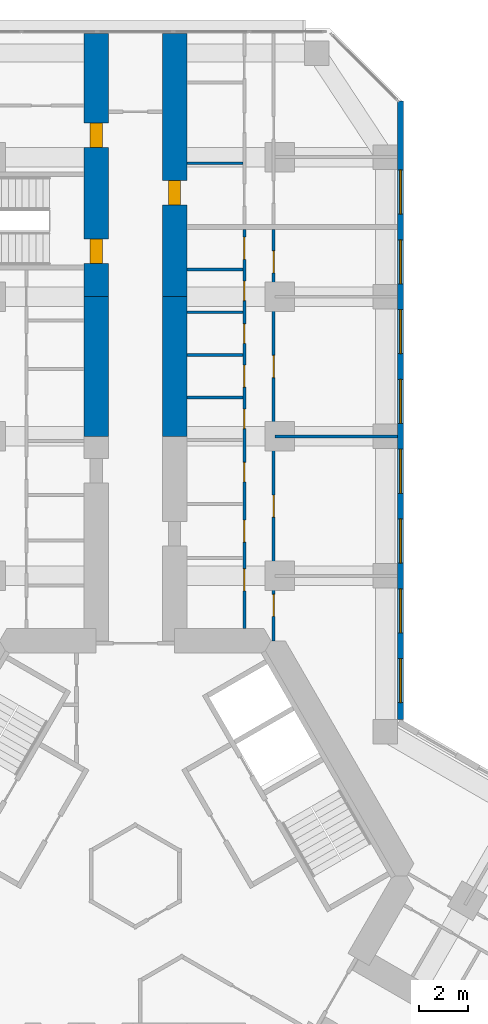
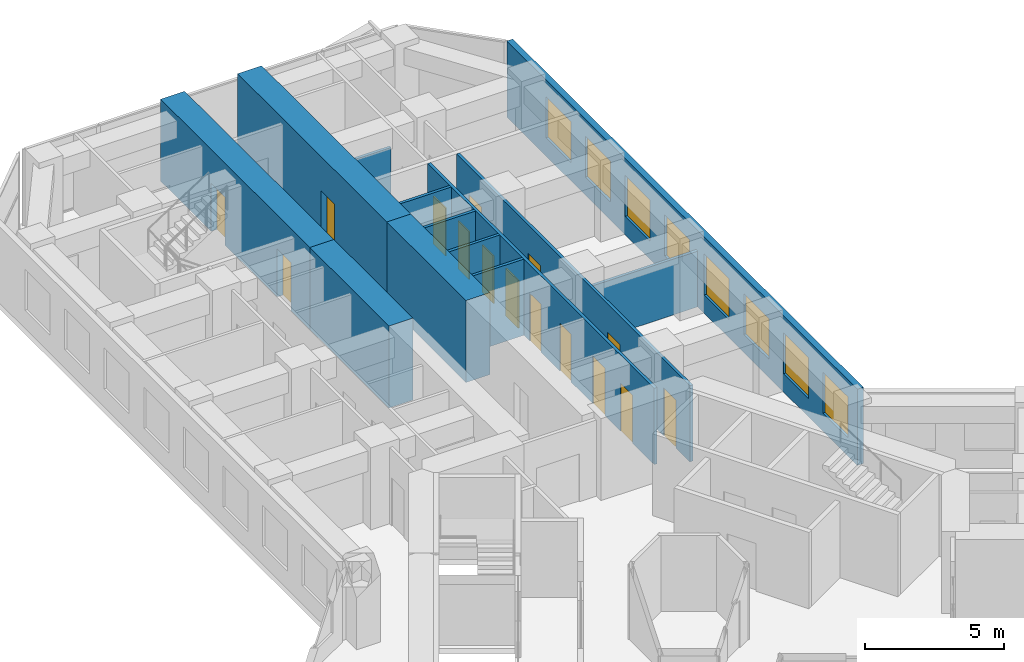
# One storey, part 18 of 21: 15 doors, 13 walls, 8 windows, 23 openings.
"""IFC4 building model written with IfcOpenShell, lengths in metres."""

import ifcopenshell
import ifcopenshell.guid

model = None  # the IFC model being written
_history = None  # IfcOwnerHistory: only IFC2X3 demands one
_inside = {}  # id of a spatial element -> (the spatial element, [elements in it])
_under = {}  # id of a project, library or spatial element -> (it, [spatial elements below it])
_declared = {}  # id of a project -> (the project, [libraries it declares])
_typed = {}  # id of a type object -> (the type object, [elements of that type])
_made_of = {}  # id of a material, layer set ... -> (it, [elements and type objects made of it])


def new_model(schema):
    """Start an empty IFC model of exactly this schema.

    Asked for "IFC4X3", IfcOpenShell would pick the latest addendum, in which some entities
    have other attributes; the version numbers below select the first issue.
    IFC2X3 requires an IfcOwnerHistory on every rooted entity: one is made here for all.
    """
    global model, _history
    if schema == "IFC4X3":
        model = ifcopenshell.file(schema_version=(4, 3, 0, 0))
    else:
        model = ifcopenshell.file(schema=schema)
    _inside.clear()
    _under.clear()
    _declared.clear()
    _typed.clear()
    _made_of.clear()
    _history = None
    if model.schema == "IFC2X3":
        org = make("IfcOrganization", Name="unknown")
        user = make(
            "IfcPersonAndOrganization",
            ThePerson=make("IfcPerson", FamilyName="unknown"),
            TheOrganization=org,
        )
        app = make(
            "IfcApplication",
            ApplicationDeveloper=org,
            Version="unknown",
            ApplicationFullName="unknown",
            ApplicationIdentifier="unknown",
        )
        _history = make(
            "IfcOwnerHistory",
            OwningUser=user,
            OwningApplication=app,
            ChangeAction="ADDED",
            CreationDate=0,
        )
    return model


def make(cls, **values):
    """One entity of the class cls with the attributes given. An attribute that is None is left unset."""
    return model.create_entity(
        cls, **{name: value for name, value in values.items() if value is not None}
    )


def rooted(cls, **values):
    """An entity with a GlobalId (a new one), such as an element, a storey or a relation."""
    return make(cls, GlobalId=ifcopenshell.guid.new(), OwnerHistory=_history, **values)


def si_unit(unit_type, name, prefix=None):
    """IfcSIUnit, for example si_unit("LENGTHUNIT", "METRE", prefix="MILLI")."""
    return make("IfcSIUnit", UnitType=unit_type, Prefix=prefix, Name=name)


def assignment(units):
    """IfcUnitAssignment: the units of a project."""
    return None if units is None else make("IfcUnitAssignment", Units=units)


def point(xyz):
    """IfcCartesianPoint."""
    return None if xyz is None else make("IfcCartesianPoint", Coordinates=xyz)


def direction(xyz):
    """IfcDirection."""
    return None if xyz is None else make("IfcDirection", DirectionRatios=xyz)


def frame(location, z_axis=None, x_axis=None):
    """IfcAxis2Placement3D, a coordinate frame: its origin and axes. An axis left out is left unset."""
    return make(
        "IfcAxis2Placement3D",
        Location=point(location),
        Axis=direction(z_axis),
        RefDirection=direction(x_axis),
    )


def frame_2d(location, x_axis=None):
    """IfcAxis2Placement2D, a coordinate frame in the plane: its origin and x axis."""
    return make(
        "IfcAxis2Placement2D", Location=point(location), RefDirection=direction(x_axis)
    )


def origin():
    """The frame at (0, 0, 0) with its axes left unset."""
    return frame((0.0, 0.0, 0.0))


def place(relative_to, where):
    """IfcLocalPlacement: puts the frame where relative to a parent placement (None: the world)."""
    return make(
        "IfcLocalPlacement", PlacementRelTo=relative_to, RelativePlacement=where
    )


def context(
    kind, dimensions, precision=None, world=None, true_north=None, identifier=None
):
    """IfcGeometricRepresentationContext, for example the 3D "Model" context."""
    return make(
        "IfcGeometricRepresentationContext",
        ContextIdentifier=identifier,
        ContextType=kind,
        CoordinateSpaceDimension=dimensions,
        Precision=precision,
        WorldCoordinateSystem=world,
        TrueNorth=true_north,
    )


def subcontext(parent, identifier, kind, view, scale=None):
    """IfcGeometricRepresentationSubContext, for example "Body" below "Model"."""
    return make(
        "IfcGeometricRepresentationSubContext",
        ContextIdentifier=identifier,
        ContextType=kind,
        ParentContext=parent,
        TargetScale=scale,
        TargetView=view,
    )


def project(units=None, contexts=None):
    """IfcProject with its units and contexts."""
    return rooted(
        "IfcProject",
        Name="project",
        RepresentationContexts=contexts,
        UnitsInContext=assignment(units),
    )


def spatial(cls, under=None, at=None, **own):
    """A site, building, storey or space (cls), placed at a placement, below another one or the project."""
    s = rooted(cls, ObjectPlacement=at, **own)
    if under is not None:
        _under.setdefault(under.id(), (under, []))[1].append(s)
    return s


def profile(cls, at=None, kind="AREA", **sizes):
    """A parametric profile (cls). Its sizes go by their IFC names, for example OverallWidth=200.0."""
    return make(cls, ProfileType=kind, Position=at, **sizes)


def rectangle(**sizes):
    """IfcRectangleProfileDef."""
    return profile("IfcRectangleProfileDef", **sizes)


def extrude(swept, where, along, depth):
    """IfcExtrudedAreaSolid: the profile swept, set in the frame where, extruded along a direction by depth."""
    return make(
        "IfcExtrudedAreaSolid",
        SweptArea=swept,
        Position=where,
        ExtrudedDirection=direction(along),
        Depth=depth,
    )


def shape(context_of_items, identifier, shape_type, items):
    """IfcShapeRepresentation: the items that make up one representation, for example the "Body"."""
    return make(
        "IfcShapeRepresentation",
        ContextOfItems=context_of_items,
        RepresentationIdentifier=identifier,
        RepresentationType=shape_type,
        Items=items,
    )


def material(Name=None, Category=None):
    """IfcMaterial."""
    return make("IfcMaterial", Name=Name, Category=Category)


def layer(
    of_material, thickness, ventilated=None, Name=None, Category=None, Priority=None
):
    """IfcMaterialLayer: one layer of a wall or slab, of a material (None: an air gap)."""
    return make(
        "IfcMaterialLayer",
        Material=of_material,
        LayerThickness=thickness,
        IsVentilated=ventilated,
        Name=Name,
        Category=Category,
        Priority=Priority,
    )


def layer_set(layers, Name=None):
    """IfcMaterialLayerSet."""
    return make("IfcMaterialLayerSet", MaterialLayers=layers, LayerSetName=Name)


def made_of(thing, what):
    """Note that an element or type object is made of a material, layer set ...; save() writes the relation."""
    if what is not None:
        _made_of.setdefault(what.id(), (what, []))[1].append(thing)
    return thing


def type_object(cls, material=None, **own):
    """A type object (cls), such as IfcWallType, which elements share."""
    return made_of(rooted(cls, **own), material)


def element(
    cls,
    number,
    at=None,
    inside=None,
    cuts=None,
    type_object=None,
    material=None,
    context=None,
    identifier="Body",
    shape_type=None,
    held_by="IfcProductDefinitionShape",
    body=None,
    shapes=None,
    **own,
):
    """One element of the class cls, such as IfcWall. Its Tag is "e" and its number.

    at: its placement. inside: the storey or other place that contains it. cuts: it is an
    opening in that element (IfcRelVoidsElement). A single representation is given by context,
    identifier, shape_type and body (its items); several are given by shapes. held_by: the class
    of the entity that holds the representations. save() writes the other relations.
    """
    e = rooted(cls, Tag="e%d" % number, ObjectPlacement=at, **own)
    if body is not None:
        shapes = [shape(context, identifier, shape_type, body)]
    if shapes is not None:
        e.Representation = make(held_by, Representations=shapes)
    if inside is not None:
        _inside.setdefault(inside.id(), (inside, []))[1].append(e)
    if cuts is not None:
        rooted(
            "IfcRelVoidsElement", RelatingBuildingElement=cuts, RelatedOpeningElement=e
        )
    if type_object is not None:
        _typed.setdefault(type_object.id(), (type_object, []))[1].append(e)
    return made_of(e, material)


def fill(opening, filler):
    """IfcRelFillsElement: the door or window that sits in an opening."""
    return rooted(
        "IfcRelFillsElement",
        RelatingOpeningElement=opening,
        RelatedBuildingElement=filler,
    )


def aggregate(whole, parts):
    """IfcRelAggregates: a whole, such as a stair, and the parts it consists of."""
    return rooted("IfcRelAggregates", RelatingObject=whole, RelatedObjects=parts)


def save(model, path):
    """Write the relations noted so far, then the file.

    IfcRelAggregates (storeys below a building ...), IfcRelContainedInSpatialStructure (elements
    in a storey), IfcRelDefinesByType, IfcRelAssociatesMaterial and IfcRelDeclares: one each for
    every whole, place, type object, material and project.
    """
    for whole, parts in _under.values():
        aggregate(whole, parts)
    for where, things in _inside.values():
        rooted(
            "IfcRelContainedInSpatialStructure",
            RelatedElements=things,
            RelatingStructure=where,
        )
    for kind, things in _typed.values():
        rooted("IfcRelDefinesByType", RelatedObjects=things, RelatingType=kind)
    for what, things in _made_of.values():
        rooted("IfcRelAssociatesMaterial", RelatedObjects=things, RelatingMaterial=what)
    for by, libraries in _declared.values():
        rooted("IfcRelDeclares", RelatingContext=by, RelatedDefinitions=libraries)
    model.write(path)


model = new_model("IFC4")

# Units and contexts
model_context = context("Model", 3, precision=1e-05, world=origin(), true_north=direction((0.0, 1.0)))
body_context = subcontext(model_context, "Body", "Model", "MODEL_VIEW")
ifc_project = project(units=[si_unit("LENGTHUNIT", "METRE"), si_unit("AREAUNIT", "SQUARE_METRE"), si_unit("VOLUMEUNIT", "CUBIC_METRE"), si_unit("PLANEANGLEUNIT", "RADIAN"), si_unit("MASSUNIT", "GRAM", prefix="KILO")], contexts=[model_context])

# Site, building, storey
site_placement = place(None, origin())
site = spatial("IfcSite", under=ifc_project, at=site_placement, CompositionType="ELEMENT")
building_placement = place(site_placement, origin())
building = spatial("IfcBuilding", under=site, at=building_placement, Name="Kosmar Iwan School Tower", CompositionType="ELEMENT")
storey_placement = place(building_placement, frame((0.0, 0.0, 71.800048828125)))
storey = spatial("IfcBuildingStorey", under=building, at=storey_placement, Name="L17", CompositionType="ELEMENT", Elevation=71.800048828125)

# Wall
ifc_material_1 = material(Name="Concrete C50/60", Category="concrete")
ifc_layer_1 = layer(ifc_material_1, 1.0)
ifc_layer_set_1 = layer_set([ifc_layer_1], Name="Corridor buttress wall 1000")
wall_type_1 = type_object("IfcWallType", Name="Corridor buttress wall 1000", PredefinedType="SHEAR", material=ifc_layer_set_1)
wall_1_placement = place(storey_placement, frame((-1.60009765625, 17.949951171875, 0.0), z_axis=(0.0, 0.0, 1.0), x_axis=(0.0, 1.0, 0.0)))
element("IfcWall", 1, at=wall_1_placement, inside=storey, type_object=wall_type_1, Name="Corridor wall AL bay 2", PredefinedType="SHEAR", context=body_context, shape_type="SweptSolid", body=[
    extrude(rectangle(XDim=5.699951171875, YDim=1.0, at=frame_2d((2.85009765625, 0.0))), origin(), (0.0, 0.0, 1.0), 3.599853515625),
])

# Wall, openings, doors
wall_2_placement = place(storey_placement, frame((-1.60009765625, 23.64990234375, 0.0), z_axis=(0.0, 0.0, 1.0), x_axis=(0.0, 1.0, 0.0)))
wall_2 = element("IfcWall", 2, at=wall_2_placement, inside=storey, type_object=wall_type_1, Name="Corridor wall AL bay 3", PredefinedType="SHEAR", context=body_context, shape_type="SweptSolid", body=[
    extrude(rectangle(XDim=10.7451171875, YDim=1.0, at=frame_2d((5.37255859375, 0.0))), origin(), (0.0, 0.0, 1.0), 3.599853515625),
])
opening_1_placement = place(wall_2_placement, frame((6.10009765625, 0.0, 0.0)))
opening_1 = element("IfcOpeningElement", 3, at=opening_1_placement, cuts=wall_2, Name="Opening D1", PredefinedType="OPENING", context=body_context, shape_type="SweptSolid", body=[
    extrude(rectangle(XDim=1.0, YDim=2.10009765625, at=frame_2d((0.5, 1.050048828125))), frame((0.0, 0.511962890625, 0.0), z_axis=(0.0, -1.0, 0.0), x_axis=(1.0, 0.0, 0.0)), (0.0, 0.0, 1.0), 1.02392578125),
])
opening_2_placement = place(wall_2_placement, frame((1.35009765625, 0.0, 0.0)))
opening_2 = element("IfcOpeningElement", 4, at=opening_2_placement, cuts=wall_2, Name="Opening D6", PredefinedType="OPENING", context=body_context, shape_type="SweptSolid", body=[
    extrude(rectangle(XDim=1.0, YDim=2.10009765625, at=frame_2d((0.5, 1.050048828125))), frame((0.0, 0.511962890625, 0.0), z_axis=(0.0, -1.0, 0.0), x_axis=(1.0, 0.0, 0.0)), (0.0, 0.0, 1.0), 1.02392578125),
])
ifc_material_2 = material(Name="Timber fire door in steel frame", Category="steel")
door_type_1 = type_object("IfcDoorType", Name="Flat entrance door 1000x2100", OperationType="SINGLE_SWING_LEFT", PredefinedType="DOOR", material=ifc_material_2)
door_1_placement = place(opening_1_placement, origin())
door_1 = element("IfcDoor", 5, at=door_1_placement, inside=storey, type_object=door_type_1, Name="Flat L17-AL2 entrance door", OperationType="SINGLE_SWING_RIGHT", OverallHeight=2.10009765625, OverallWidth=1.0, PredefinedType="DOOR", context=body_context, shape_type="SweptSolid", body=[
    extrude(rectangle(XDim=1.0, YDim=2.10009765625, at=frame_2d((0.5, 1.050048828125))), frame((0.0, 0.25, 0.0), z_axis=(0.0, -1.0, 0.0), x_axis=(1.0, 0.0, 0.0)), (0.0, 0.0, 1.0), 0.5),
])
fill(opening_1, door_1)
ifc_material_3 = material(Name="Steel fire door", Category="steel")
door_type_2 = type_object("IfcDoorType", Name="Stair door 1000x2100", OperationType="SINGLE_SWING_LEFT", PredefinedType="DOOR", material=ifc_material_3)
door_2_placement = place(opening_2_placement, origin())
door_2 = element("IfcDoor", 6, at=door_2_placement, inside=storey, type_object=door_type_2, Name="Stair WS1 door L17", OperationType="SINGLE_SWING_LEFT", OverallHeight=2.10009765625, OverallWidth=1.0, PredefinedType="DOOR", context=body_context, shape_type="SweptSolid", body=[
    extrude(rectangle(XDim=1.0, YDim=2.10009765625, at=frame_2d((0.5, 1.050048828125))), frame((0.0, 0.25, 0.0), z_axis=(0.0, -1.0, 0.0), x_axis=(1.0, 0.0, 0.0)), (0.0, 0.0, 1.0), 0.5),
])
fill(opening_2, door_2)

# Wall
wall_3_placement = place(storey_placement, frame((1.60009765625, 17.949951171875, 0.0), z_axis=(0.0, 0.0, 1.0), x_axis=(0.0, 1.0, 0.0)))
element("IfcWall", 7, at=wall_3_placement, inside=storey, type_object=wall_type_1, Name="Corridor wall AR bay 2", PredefinedType="SHEAR", context=body_context, shape_type="SweptSolid", body=[
    extrude(rectangle(XDim=5.699951171875, YDim=1.0, at=frame_2d((2.85009765625, 0.0))), origin(), (0.0, 0.0, 1.0), 3.599853515625),
])

# Wall, opening, door
wall_4_placement = place(storey_placement, frame((1.60009765625, 23.64990234375, 0.0), z_axis=(0.0, 0.0, 1.0), x_axis=(0.0, 1.0, 0.0)))
wall_4 = element("IfcWall", 8, at=wall_4_placement, inside=storey, type_object=wall_type_1, Name="Corridor wall AR bay 3", PredefinedType="SHEAR", context=body_context, shape_type="SweptSolid", body=[
    extrude(rectangle(XDim=10.7451171875, YDim=1.0, at=frame_2d((5.37255859375, 0.0))), origin(), (0.0, 0.0, 1.0), 3.599853515625),
])
opening_3_placement = place(wall_4_placement, frame((3.75, 0.0, 0.0)))
opening_3 = element("IfcOpeningElement", 9, at=opening_3_placement, cuts=wall_4, Name="Opening D1", PredefinedType="OPENING", context=body_context, shape_type="SweptSolid", body=[
    extrude(rectangle(XDim=1.0, YDim=2.10009765625, at=frame_2d((0.5, 1.050048828125))), frame((0.0, 0.511962890625, 0.0), z_axis=(0.0, -1.0, 0.0), x_axis=(1.0, 0.0, 0.0)), (0.0, 0.0, 1.0), 1.02392578125),
])
door_3_placement = place(opening_3_placement, origin())
door_3 = element("IfcDoor", 10, at=door_3_placement, inside=storey, type_object=door_type_1, Name="Flat L17-AR2 entrance door", OperationType="SINGLE_SWING_RIGHT", OverallHeight=2.10009765625, OverallWidth=1.0, PredefinedType="DOOR", context=body_context, shape_type="SweptSolid", body=[
    extrude(rectangle(XDim=1.0, YDim=2.10009765625, at=frame_2d((0.5, 1.050048828125))), frame((0.0, 0.25, 0.0), z_axis=(0.0, -1.0, 0.0), x_axis=(1.0, 0.0, 0.0)), (0.0, 0.0, 1.0), 0.5),
])
fill(opening_3, door_3)

# Wall, openings, doors
ifc_material_4 = material(Name="Gypsum board on steel studs", Category="steel")
ifc_layer_2 = layer(ifc_material_4, 0.1201171875)
ifc_layer_set_2 = layer_set([ifc_layer_2], Name="Dwelling partition 120")
wall_type_2 = type_object("IfcWallType", Name="Dwelling partition 120", PredefinedType="PARTITIONING", material=ifc_layer_set_2)
wall_5_placement = place(storey_placement, frame((4.449951171875, 10.10009765625, 0.0), z_axis=(0.0, 0.0, 1.0), x_axis=(0.0, 1.0, 0.0)))
wall_5 = element("IfcWall", 11, at=wall_5_placement, inside=storey, type_object=wall_type_2, Name="Partition L17-AR1-W1", PredefinedType="PARTITIONING", context=body_context, shape_type="SweptSolid", body=[
    extrude(rectangle(XDim=16.2998046875, YDim=0.1201171875, at=frame_2d((8.14990234375, 0.0))), origin(), (0.0, 0.0, 1.0), 3.349853515625),
])
opening_4_placement = place(wall_5_placement, frame((1.5400390625, 0.0, 0.0)))
opening_4 = element("IfcOpeningElement", 12, at=opening_4_placement, cuts=wall_5, Name="Opening D2", PredefinedType="OPENING", context=body_context, shape_type="SweptSolid", body=[
    extrude(rectangle(XDim=0.89990234375, YDim=2.10009765625, at=frame_2d((0.449951171875, 1.050048828125))), frame((0.0, 0.072021484375, 0.0), z_axis=(0.0, -1.0, 0.0), x_axis=(1.0, 0.0, 0.0)), (0.0, 0.0, 1.0), 0.14404296875),
])
opening_5_placement = place(wall_5_placement, frame((3.530029296875, 0.0, 0.0)))
opening_5 = element("IfcOpeningElement", 13, at=opening_5_placement, cuts=wall_5, Name="Opening D2", PredefinedType="OPENING", context=body_context, shape_type="SweptSolid", body=[
    extrude(rectangle(XDim=0.89990234375, YDim=2.10009765625, at=frame_2d((0.449951171875, 1.050048828125))), frame((0.0, 0.072021484375, 0.0), z_axis=(0.0, -1.0, 0.0), x_axis=(1.0, 0.0, 0.0)), (0.0, 0.0, 1.0), 0.14404296875),
])
opening_6_placement = place(wall_5_placement, frame((5.986083984375, 0.0, 0.0)))
opening_6 = element("IfcOpeningElement", 14, at=opening_6_placement, cuts=wall_5, Name="Opening D3", PredefinedType="OPENING", context=body_context, shape_type="SweptSolid", body=[
    extrude(rectangle(XDim=0.800048828125, YDim=2.10009765625, at=frame_2d((0.39990234375, 1.050048828125))), frame((0.0, 0.072021484375, 0.0), z_axis=(0.0, -1.0, 0.0), x_axis=(1.0, 0.0, 0.0)), (0.0, 0.0, 1.0), 0.14404296875),
])
opening_7_placement = place(wall_5_placement, frame((8.1630859375, 0.0, 0.0)))
opening_7 = element("IfcOpeningElement", 15, at=opening_7_placement, cuts=wall_5, Name="Opening D3", PredefinedType="OPENING", context=body_context, shape_type="SweptSolid", body=[
    extrude(rectangle(XDim=0.800048828125, YDim=2.10009765625, at=frame_2d((0.39990234375, 1.050048828125))), frame((0.0, 0.072021484375, 0.0), z_axis=(0.0, -1.0, 0.0), x_axis=(1.0, 0.0, 0.0)), (0.0, 0.0, 1.0), 0.14404296875),
])
opening_8_placement = place(wall_5_placement, frame((9.854736328125, 0.0, 0.0)))
opening_8 = element("IfcOpeningElement", 16, at=opening_8_placement, cuts=wall_5, Name="Opening D2", PredefinedType="OPENING", context=body_context, shape_type="SweptSolid", body=[
    extrude(rectangle(XDim=0.89990234375, YDim=2.10009765625, at=frame_2d((0.449951171875, 1.050048828125))), frame((0.0, 0.072021484375, 0.0), z_axis=(0.0, -1.0, 0.0), x_axis=(1.0, 0.0, 0.0)), (0.0, 0.0, 1.0), 0.14404296875),
])
opening_9_placement = place(wall_5_placement, frame((11.646240234375, 0.0, 0.0)))
opening_9 = element("IfcOpeningElement", 17, at=opening_9_placement, cuts=wall_5, Name="Opening D3", PredefinedType="OPENING", context=body_context, shape_type="SweptSolid", body=[
    extrude(rectangle(XDim=0.800048828125, YDim=2.10009765625, at=frame_2d((0.39990234375, 1.050048828125))), frame((0.0, 0.072021484375, 0.0), z_axis=(0.0, -1.0, 0.0), x_axis=(1.0, 0.0, 0.0)), (0.0, 0.0, 1.0), 0.14404296875),
])
opening_10_placement = place(wall_5_placement, frame((13.3876953125, 0.0, 0.0)))
opening_10 = element("IfcOpeningElement", 18, at=opening_10_placement, cuts=wall_5, Name="Opening D3", PredefinedType="OPENING", context=body_context, shape_type="SweptSolid", body=[
    extrude(rectangle(XDim=0.800048828125, YDim=2.10009765625, at=frame_2d((0.39990234375, 1.050048828125))), frame((0.0, 0.072021484375, 0.0), z_axis=(0.0, -1.0, 0.0), x_axis=(1.0, 0.0, 0.0)), (0.0, 0.0, 1.0), 0.14404296875),
])
opening_11_placement = place(wall_5_placement, frame((15.079345703125, 0.0, 0.0)))
opening_11 = element("IfcOpeningElement", 19, at=opening_11_placement, cuts=wall_5, Name="Opening D2", PredefinedType="OPENING", context=body_context, shape_type="SweptSolid", body=[
    extrude(rectangle(XDim=0.89990234375, YDim=2.10009765625, at=frame_2d((0.449951171875, 1.050048828125))), frame((0.0, 0.072021484375, 0.0), z_axis=(0.0, -1.0, 0.0), x_axis=(1.0, 0.0, 0.0)), (0.0, 0.0, 1.0), 0.14404296875),
])
ifc_material_5 = material(Name="Timber door in timber frame", Category="wood")
door_type_3 = type_object("IfcDoorType", Name="Internal door 900x2100", OperationType="SINGLE_SWING_LEFT", PredefinedType="DOOR", material=ifc_material_5)
door_4_placement = place(opening_4_placement, origin())
door_4 = element("IfcDoor", 20, at=door_4_placement, inside=storey, type_object=door_type_3, Name="Utility room door L17-AR1-S1", OperationType="SINGLE_SWING_RIGHT", OverallHeight=2.10009765625, OverallWidth=0.89990234375, PredefinedType="DOOR", context=body_context, shape_type="SweptSolid", body=[
    extrude(rectangle(XDim=0.89990234375, YDim=2.10009765625, at=frame_2d((0.449951171875, 1.050048828125))), frame((0.0, 0.02490234375, 0.0), z_axis=(0.0, -1.0, 0.0), x_axis=(1.0, 0.0, 0.0)), (0.0, 0.0, 1.0), 0.050048828125),
])
fill(opening_4, door_4)
door_5_placement = place(opening_5_placement, origin())
door_5 = element("IfcDoor", 21, at=door_5_placement, inside=storey, type_object=door_type_3, Name="Entrance hall door L17-AR1-S2", OperationType="SINGLE_SWING_LEFT", OverallHeight=2.10009765625, OverallWidth=0.89990234375, PredefinedType="DOOR", context=body_context, shape_type="SweptSolid", body=[
    extrude(rectangle(XDim=0.89990234375, YDim=2.10009765625, at=frame_2d((0.449951171875, 1.050048828125))), frame((0.0, 0.02490234375, 0.0), z_axis=(0.0, -1.0, 0.0), x_axis=(1.0, 0.0, 0.0)), (0.0, 0.0, 1.0), 0.050048828125),
])
fill(opening_5, door_5)
door_6_placement = place(opening_8_placement, origin())
door_6 = element("IfcDoor", 22, at=door_6_placement, inside=storey, type_object=door_type_3, Name="Pantry door L17-AR1-S5", OperationType="SINGLE_SWING_RIGHT", OverallHeight=2.10009765625, OverallWidth=0.89990234375, PredefinedType="DOOR", context=body_context, shape_type="SweptSolid", body=[
    extrude(rectangle(XDim=0.89990234375, YDim=2.10009765625, at=frame_2d((0.449951171875, 1.050048828125))), frame((0.0, 0.02490234375, 0.0), z_axis=(0.0, -1.0, 0.0), x_axis=(1.0, 0.0, 0.0)), (0.0, 0.0, 1.0), 0.050048828125),
])
fill(opening_8, door_6)
door_7_placement = place(opening_11_placement, origin())
door_7 = element("IfcDoor", 23, at=door_7_placement, inside=storey, type_object=door_type_3, Name="Dressing room door L17-AR1-S8", OperationType="SINGLE_SWING_RIGHT", OverallHeight=2.10009765625, OverallWidth=0.89990234375, PredefinedType="DOOR", context=body_context, shape_type="SweptSolid", body=[
    extrude(rectangle(XDim=0.89990234375, YDim=2.10009765625, at=frame_2d((0.449951171875, 1.050048828125))), frame((0.0, 0.02490234375, 0.0), z_axis=(0.0, -1.0, 0.0), x_axis=(1.0, 0.0, 0.0)), (0.0, 0.0, 1.0), 0.050048828125),
])
fill(opening_11, door_7)
ifc_material_6 = material(Name="Timber door in timber frame", Category="wood")
door_type_4 = type_object("IfcDoorType", Name="Sanitary room door 800x2100", OperationType="SINGLE_SWING_LEFT", PredefinedType="DOOR", material=ifc_material_6)
door_8_placement = place(opening_6_placement, origin())
door_8 = element("IfcDoor", 24, at=door_8_placement, inside=storey, type_object=door_type_4, Name="Bathroom door L17-AR1-S3", OperationType="SINGLE_SWING_RIGHT", OverallHeight=2.10009765625, OverallWidth=0.800048828125, PredefinedType="DOOR", context=body_context, shape_type="SweptSolid", body=[
    extrude(rectangle(XDim=0.800048828125, YDim=2.10009765625, at=frame_2d((0.39990234375, 1.050048828125))), frame((0.0, 0.02490234375, 0.0), z_axis=(0.0, -1.0, 0.0), x_axis=(1.0, 0.0, 0.0)), (0.0, 0.0, 1.0), 0.050048828125),
])
fill(opening_6, door_8)
door_9_placement = place(opening_7_placement, origin())
door_9 = element("IfcDoor", 25, at=door_9_placement, inside=storey, type_object=door_type_4, Name="Shower room door L17-AR1-S4", OperationType="SINGLE_SWING_LEFT", OverallHeight=2.10009765625, OverallWidth=0.800048828125, PredefinedType="DOOR", context=body_context, shape_type="SweptSolid", body=[
    extrude(rectangle(XDim=0.800048828125, YDim=2.10009765625, at=frame_2d((0.39990234375, 1.050048828125))), frame((0.0, 0.02490234375, 0.0), z_axis=(0.0, -1.0, 0.0), x_axis=(1.0, 0.0, 0.0)), (0.0, 0.0, 1.0), 0.050048828125),
])
fill(opening_7, door_9)
door_10_placement = place(opening_9_placement, origin())
door_10 = element("IfcDoor", 26, at=door_10_placement, inside=storey, type_object=door_type_4, Name="WC door L17-AR1-S6", OperationType="SINGLE_SWING_LEFT", OverallHeight=2.10009765625, OverallWidth=0.800048828125, PredefinedType="DOOR", context=body_context, shape_type="SweptSolid", body=[
    extrude(rectangle(XDim=0.800048828125, YDim=2.10009765625, at=frame_2d((0.39990234375, 1.050048828125))), frame((0.0, 0.02490234375, 0.0), z_axis=(0.0, -1.0, 0.0), x_axis=(1.0, 0.0, 0.0)), (0.0, 0.0, 1.0), 0.050048828125),
])
fill(opening_9, door_10)
door_11_placement = place(opening_10_placement, origin())
door_11 = element("IfcDoor", 27, at=door_11_placement, inside=storey, type_object=door_type_4, Name="Store door L17-AR1-S7", OperationType="SINGLE_SWING_RIGHT", OverallHeight=2.10009765625, OverallWidth=0.800048828125, PredefinedType="DOOR", context=body_context, shape_type="SweptSolid", body=[
    extrude(rectangle(XDim=0.800048828125, YDim=2.10009765625, at=frame_2d((0.39990234375, 1.050048828125))), frame((0.0, 0.02490234375, 0.0), z_axis=(0.0, -1.0, 0.0), x_axis=(1.0, 0.0, 0.0)), (0.0, 0.0, 1.0), 0.050048828125),
])
fill(opening_10, door_11)

wall_6_placement = place(storey_placement, frame((5.64990234375, 9.60009765625, 0.0), z_axis=(0.0, 0.0, 1.0), x_axis=(0.0, 1.0, 0.0)))
wall_6 = element("IfcWall", 28, at=wall_6_placement, inside=storey, type_object=wall_type_2, Name="Partition L17-AR1-W2", PredefinedType="PARTITIONING", context=body_context, shape_type="SweptSolid", body=[
    extrude(rectangle(XDim=16.7998046875, YDim=0.1201171875, at=frame_2d((8.39990234375, 0.0))), origin(), (0.0, 0.0, 1.0), 3.349853515625),
])
opening_12_placement = place(wall_6_placement, frame((1.0, 0.0, 0.0)))
opening_12 = element("IfcOpeningElement", 29, at=opening_12_placement, cuts=wall_6, Name="Opening D2", PredefinedType="OPENING", context=body_context, shape_type="SweptSolid", body=[
    extrude(rectangle(XDim=0.89990234375, YDim=2.10009765625, at=frame_2d((0.449951171875, 1.050048828125))), frame((0.0, 0.072021484375, 0.0), z_axis=(0.0, -1.0, 0.0), x_axis=(1.0, 0.0, 0.0)), (0.0, 0.0, 1.0), 0.14404296875),
])
opening_13_placement = place(wall_6_placement, frame((5.050048828125, 0.0, 0.0)))
opening_13 = element("IfcOpeningElement", 30, at=opening_13_placement, cuts=wall_6, Name="Opening D2", PredefinedType="OPENING", context=body_context, shape_type="SweptSolid", body=[
    extrude(rectangle(XDim=0.89990234375, YDim=2.10009765625, at=frame_2d((0.449951171875, 1.050048828125))), frame((0.0, 0.072021484375, 0.0), z_axis=(0.0, -1.0, 0.0), x_axis=(1.0, 0.0, 0.0)), (0.0, 0.0, 1.0), 0.14404296875),
])
opening_14_placement = place(wall_6_placement, frame((10.75, 0.0, 0.0)))
opening_14 = element("IfcOpeningElement", 31, at=opening_14_placement, cuts=wall_6, Name="Opening D2", PredefinedType="OPENING", context=body_context, shape_type="SweptSolid", body=[
    extrude(rectangle(XDim=0.89990234375, YDim=2.10009765625, at=frame_2d((0.449951171875, 1.050048828125))), frame((0.0, 0.072021484375, 0.0), z_axis=(0.0, -1.0, 0.0), x_axis=(1.0, 0.0, 0.0)), (0.0, 0.0, 1.0), 0.14404296875),
])
opening_15_placement = place(wall_6_placement, frame((15.02490234375, 0.0, 0.0)))
opening_15 = element("IfcOpeningElement", 32, at=opening_15_placement, cuts=wall_6, Name="Opening D2", PredefinedType="OPENING", context=body_context, shape_type="SweptSolid", body=[
    extrude(rectangle(XDim=0.89990234375, YDim=2.10009765625, at=frame_2d((0.449951171875, 1.050048828125))), frame((0.0, 0.072021484375, 0.0), z_axis=(0.0, -1.0, 0.0), x_axis=(1.0, 0.0, 0.0)), (0.0, 0.0, 1.0), 0.14404296875),
])
door_12_placement = place(opening_12_placement, origin())
door_12 = element("IfcDoor", 33, at=door_12_placement, inside=storey, type_object=door_type_3, Name="Bedroom 1 door L17-AR1-F1", OperationType="SINGLE_SWING_LEFT", OverallHeight=2.10009765625, OverallWidth=0.89990234375, PredefinedType="DOOR", context=body_context, shape_type="SweptSolid", body=[
    extrude(rectangle(XDim=0.89990234375, YDim=2.10009765625, at=frame_2d((0.449951171875, 1.050048828125))), frame((0.0, 0.02490234375, 0.0), z_axis=(0.0, -1.0, 0.0), x_axis=(1.0, 0.0, 0.0)), (0.0, 0.0, 1.0), 0.050048828125),
])
fill(opening_12, door_12)
door_13_placement = place(opening_13_placement, origin())
door_13 = element("IfcDoor", 34, at=door_13_placement, inside=storey, type_object=door_type_3, Name="Study door L17-AR1-F2", OperationType="SINGLE_SWING_LEFT", OverallHeight=2.10009765625, OverallWidth=0.89990234375, PredefinedType="DOOR", context=body_context, shape_type="SweptSolid", body=[
    extrude(rectangle(XDim=0.89990234375, YDim=2.10009765625, at=frame_2d((0.449951171875, 1.050048828125))), frame((0.0, 0.02490234375, 0.0), z_axis=(0.0, -1.0, 0.0), x_axis=(1.0, 0.0, 0.0)), (0.0, 0.0, 1.0), 0.050048828125),
])
fill(opening_13, door_13)
door_14_placement = place(opening_14_placement, origin())
door_14 = element("IfcDoor", 35, at=door_14_placement, inside=storey, type_object=door_type_3, Name="Living room and kitchen door L17-AR1-F3", OperationType="SINGLE_SWING_RIGHT", OverallHeight=2.10009765625, OverallWidth=0.89990234375, PredefinedType="DOOR", context=body_context, shape_type="SweptSolid", body=[
    extrude(rectangle(XDim=0.89990234375, YDim=2.10009765625, at=frame_2d((0.449951171875, 1.050048828125))), frame((0.0, 0.02490234375, 0.0), z_axis=(0.0, -1.0, 0.0), x_axis=(1.0, 0.0, 0.0)), (0.0, 0.0, 1.0), 0.050048828125),
])
fill(opening_14, door_14)
door_15_placement = place(opening_15_placement, origin())
door_15 = element("IfcDoor", 36, at=door_15_placement, inside=storey, type_object=door_type_3, Name="Bedroom 2 door L17-AR1-F4", OperationType="SINGLE_SWING_RIGHT", OverallHeight=2.10009765625, OverallWidth=0.89990234375, PredefinedType="DOOR", context=body_context, shape_type="SweptSolid", body=[
    extrude(rectangle(XDim=0.89990234375, YDim=2.10009765625, at=frame_2d((0.449951171875, 1.050048828125))), frame((0.0, 0.02490234375, 0.0), z_axis=(0.0, -1.0, 0.0), x_axis=(1.0, 0.0, 0.0)), (0.0, 0.0, 1.0), 0.050048828125),
])
fill(opening_15, door_15)

# Walls
wall_7_placement = place(storey_placement, frame((5.7099609375, 17.949951171875, 0.0), z_axis=(0.0, 0.0, 1.0), x_axis=(1.0, 0.0, 0.0)))
element("IfcWall", 37, at=wall_7_placement, inside=storey, type_object=wall_type_2, Name="Partition L17-AR1-X2", PredefinedType="PARTITIONING", context=body_context, shape_type="SweptSolid", body=[
    extrude(rectangle(XDim=4.989990234375, YDim=0.1201171875, at=frame_2d((2.4951171875, 0.0))), origin(), (0.0, 0.0, 1.0), 2.449951171875),
])
for number, where, z_axis, x_axis, name in (
    (38, (2.10009765625, 19.533935546875, 0.0), (0.0, 0.0, 1.0), (1.0, 0.0, 0.0), "Partition L17-AR1-Y4"),
    (39, (2.10009765625, 21.275390625, 0.0), (0.0, 0.0, 1.0), (1.0, 0.0, 0.0), "Partition L17-AR1-Y5"),
    (40, (2.10009765625, 23.016845703125, 0.0), (0.0, 0.0, 1.0), (1.0, 0.0, 0.0), "Partition L17-AR1-Y6"),
    (41, (2.10009765625, 24.758544921875, 0.0), (0.0, 0.0, 1.0), (1.0, 0.0, 0.0), "Partition L17-AR1-Y7"),
):
    element("IfcWall", number, at=place(storey_placement, frame(where, z_axis=z_axis, x_axis=x_axis)), inside=storey, type_object=wall_type_2, Name=name, PredefinedType="PARTITIONING", context=body_context, shape_type="SweptSolid", body=[
        extrude(rectangle(XDim=2.289794921875, YDim=0.1201171875, at=frame_2d((1.14501953125, 0.0))), origin(), (0.0, 0.0, 1.0), 3.349853515625),
    ])
wall_8_placement = place(storey_placement, frame((2.10009765625, 29.10009765625, 0.0), z_axis=(0.0, 0.0, 1.0), x_axis=(1.0, 0.0, 0.0)))
element("IfcWall", 42, at=wall_8_placement, inside=storey, type_object=wall_type_2, Name="Partition L17-AR2-Y1", PredefinedType="PARTITIONING", context=body_context, shape_type="SweptSolid", body=[
    extrude(rectangle(XDim=2.289794921875, YDim=0.1201171875, at=frame_2d((1.14501953125, 0.0))), origin(), (0.0, 0.0, 1.0), 2.449951171875),
])

# Wall, openings, windows
ifc_material_7 = material(Name="Black aluminium rainscreen on insulated framing", Category="aluminium")
ifc_layer_3 = layer(ifc_material_7, 0.25)
ifc_layer_set_3 = layer_set([ifc_layer_3], Name="External wall rainscreen 250")
wall_type_3 = type_object("IfcWallType", Name="External wall rainscreen 250", PredefinedType="SOLIDWALL", material=ifc_layer_set_3)
wall_9_placement = place(storey_placement, frame((10.824951171875, 6.39404296875, 0.0), z_axis=(0.0, 0.0, 1.0), x_axis=(0.0, 1.0, 0.0)))
wall_9 = element("IfcWall", 43, at=wall_9_placement, inside=storey, type_object=wall_type_3, Name="External wall AR L17", PredefinedType="SOLIDWALL", context=body_context, shape_type="SweptSolid", body=[
    extrude(rectangle(XDim=25.2412109375, YDim=0.25, at=frame_2d((12.62060546875, 0.0))), origin(), (0.0, 0.0, 1.0), 3.349853515625),
])
opening_16_placement = place(wall_9_placement, frame((0.680908203125, 0.0, 0.800048828125)))
opening_16 = element("IfcOpeningElement", 44, at=opening_16_placement, cuts=wall_9, Name="Opening W1", PredefinedType="OPENING", context=body_context, shape_type="SweptSolid", body=[
    extrude(rectangle(XDim=1.800048828125, YDim=1.800048828125, at=frame_2d((0.89990234375, 0.89990234375))), frame((0.0, 0.136962890625, 0.0), z_axis=(0.0, -1.0, 0.0), x_axis=(1.0, 0.0, 0.0)), (0.0, 0.0, 1.0), 0.27392578125),
])
opening_17_placement = place(wall_9_placement, frame((3.53076171875, 0.0, 0.800048828125)))
opening_17 = element("IfcOpeningElement", 45, at=opening_17_placement, cuts=wall_9, Name="Opening W1", PredefinedType="OPENING", context=body_context, shape_type="SweptSolid", body=[
    extrude(rectangle(XDim=1.800048828125, YDim=1.800048828125, at=frame_2d((0.89990234375, 0.89990234375))), frame((0.0, 0.136962890625, 0.0), z_axis=(0.0, -1.0, 0.0), x_axis=(1.0, 0.0, 0.0)), (0.0, 0.0, 1.0), 0.27392578125),
])
opening_18_placement = place(wall_9_placement, frame((6.380859375, 0.0, 0.800048828125)))
opening_18 = element("IfcOpeningElement", 46, at=opening_18_placement, cuts=wall_9, Name="Opening W1", PredefinedType="OPENING", context=body_context, shape_type="SweptSolid", body=[
    extrude(rectangle(XDim=1.800048828125, YDim=1.800048828125, at=frame_2d((0.89990234375, 0.89990234375))), frame((0.0, 0.136962890625, 0.0), z_axis=(0.0, -1.0, 0.0), x_axis=(1.0, 0.0, 0.0)), (0.0, 0.0, 1.0), 0.27392578125),
])
opening_19_placement = place(wall_9_placement, frame((9.23095703125, 0.0, 0.800048828125)))
opening_19 = element("IfcOpeningElement", 47, at=opening_19_placement, cuts=wall_9, Name="Opening W1", PredefinedType="OPENING", context=body_context, shape_type="SweptSolid", body=[
    extrude(rectangle(XDim=1.800048828125, YDim=1.800048828125, at=frame_2d((0.89990234375, 0.89990234375))), frame((0.0, 0.136962890625, 0.0), z_axis=(0.0, -1.0, 0.0), x_axis=(1.0, 0.0, 0.0)), (0.0, 0.0, 1.0), 0.27392578125),
])
opening_20_placement = place(wall_9_placement, frame((12.080810546875, 0.0, 0.800048828125)))
opening_20 = element("IfcOpeningElement", 48, at=opening_20_placement, cuts=wall_9, Name="Opening W1", PredefinedType="OPENING", context=body_context, shape_type="SweptSolid", body=[
    extrude(rectangle(XDim=1.800048828125, YDim=1.800048828125, at=frame_2d((0.89990234375, 0.89990234375))), frame((0.0, 0.136962890625, 0.0), z_axis=(0.0, -1.0, 0.0), x_axis=(1.0, 0.0, 0.0)), (0.0, 0.0, 1.0), 0.27392578125),
])
opening_21_placement = place(wall_9_placement, frame((14.930908203125, 0.0, 0.800048828125)))
opening_21 = element("IfcOpeningElement", 49, at=opening_21_placement, cuts=wall_9, Name="Opening W1", PredefinedType="OPENING", context=body_context, shape_type="SweptSolid", body=[
    extrude(rectangle(XDim=1.800048828125, YDim=1.800048828125, at=frame_2d((0.89990234375, 0.89990234375))), frame((0.0, 0.136962890625, 0.0), z_axis=(0.0, -1.0, 0.0), x_axis=(1.0, 0.0, 0.0)), (0.0, 0.0, 1.0), 0.27392578125),
])
opening_22_placement = place(wall_9_placement, frame((17.78076171875, 0.0, 0.800048828125)))
opening_22 = element("IfcOpeningElement", 50, at=opening_22_placement, cuts=wall_9, Name="Opening W1", PredefinedType="OPENING", context=body_context, shape_type="SweptSolid", body=[
    extrude(rectangle(XDim=1.800048828125, YDim=1.800048828125, at=frame_2d((0.89990234375, 0.89990234375))), frame((0.0, 0.136962890625, 0.0), z_axis=(0.0, -1.0, 0.0), x_axis=(1.0, 0.0, 0.0)), (0.0, 0.0, 1.0), 0.27392578125),
])
opening_23_placement = place(wall_9_placement, frame((20.630859375, 0.0, 0.800048828125)))
opening_23 = element("IfcOpeningElement", 51, at=opening_23_placement, cuts=wall_9, Name="Opening W1", PredefinedType="OPENING", context=body_context, shape_type="SweptSolid", body=[
    extrude(rectangle(XDim=1.800048828125, YDim=1.800048828125, at=frame_2d((0.89990234375, 0.89990234375))), frame((0.0, 0.136962890625, 0.0), z_axis=(0.0, -1.0, 0.0), x_axis=(1.0, 0.0, 0.0)), (0.0, 0.0, 1.0), 0.27392578125),
])
ifc_material_8 = material(Name="Black aluminium frame with dark triple glazing", Category="aluminium")
window_type = type_object("IfcWindowType", Name="Window 1800x1800", PartitioningType="SINGLE_PANEL", PredefinedType="WINDOW", material=ifc_material_8)
window_1_placement = place(opening_16_placement, origin())
window_1 = element("IfcWindow", 52, at=window_1_placement, inside=storey, type_object=window_type, Name="Window AR L17 -1", OverallHeight=1.800048828125, OverallWidth=1.800048828125, PartitioningType="SINGLE_PANEL", PredefinedType="WINDOW", context=body_context, shape_type="SweptSolid", body=[
    extrude(rectangle(XDim=1.800048828125, YDim=1.800048828125, at=frame_2d((0.89990234375, 0.89990234375))), frame((0.0, 0.030029296875, 0.0), z_axis=(0.0, -1.0, 0.0), x_axis=(1.0, 0.0, 0.0)), (0.0, 0.0, 1.0), 0.06005859375),
])
fill(opening_16, window_1)
window_2_placement = place(opening_17_placement, origin())
window_2 = element("IfcWindow", 53, at=window_2_placement, inside=storey, type_object=window_type, Name="Window AR L17 0", OverallHeight=1.800048828125, OverallWidth=1.800048828125, PartitioningType="SINGLE_PANEL", PredefinedType="WINDOW", context=body_context, shape_type="SweptSolid", body=[
    extrude(rectangle(XDim=1.800048828125, YDim=1.800048828125, at=frame_2d((0.89990234375, 0.89990234375))), frame((0.0, 0.030029296875, 0.0), z_axis=(0.0, -1.0, 0.0), x_axis=(1.0, 0.0, 0.0)), (0.0, 0.0, 1.0), 0.06005859375),
])
fill(opening_17, window_2)
window_3_placement = place(opening_18_placement, origin())
window_3 = element("IfcWindow", 54, at=window_3_placement, inside=storey, type_object=window_type, Name="Window AR L17 1", OverallHeight=1.800048828125, OverallWidth=1.800048828125, PartitioningType="SINGLE_PANEL", PredefinedType="WINDOW", context=body_context, shape_type="SweptSolid", body=[
    extrude(rectangle(XDim=1.800048828125, YDim=1.800048828125, at=frame_2d((0.89990234375, 0.89990234375))), frame((0.0, 0.030029296875, 0.0), z_axis=(0.0, -1.0, 0.0), x_axis=(1.0, 0.0, 0.0)), (0.0, 0.0, 1.0), 0.06005859375),
])
fill(opening_18, window_3)
window_4_placement = place(opening_19_placement, origin())
window_4 = element("IfcWindow", 55, at=window_4_placement, inside=storey, type_object=window_type, Name="Window AR L17 2", OverallHeight=1.800048828125, OverallWidth=1.800048828125, PartitioningType="SINGLE_PANEL", PredefinedType="WINDOW", context=body_context, shape_type="SweptSolid", body=[
    extrude(rectangle(XDim=1.800048828125, YDim=1.800048828125, at=frame_2d((0.89990234375, 0.89990234375))), frame((0.0, 0.030029296875, 0.0), z_axis=(0.0, -1.0, 0.0), x_axis=(1.0, 0.0, 0.0)), (0.0, 0.0, 1.0), 0.06005859375),
])
fill(opening_19, window_4)
window_5_placement = place(opening_20_placement, origin())
window_5 = element("IfcWindow", 56, at=window_5_placement, inside=storey, type_object=window_type, Name="Window AR L17 3", OverallHeight=1.800048828125, OverallWidth=1.800048828125, PartitioningType="SINGLE_PANEL", PredefinedType="WINDOW", context=body_context, shape_type="SweptSolid", body=[
    extrude(rectangle(XDim=1.800048828125, YDim=1.800048828125, at=frame_2d((0.89990234375, 0.89990234375))), frame((0.0, 0.030029296875, 0.0), z_axis=(0.0, -1.0, 0.0), x_axis=(1.0, 0.0, 0.0)), (0.0, 0.0, 1.0), 0.06005859375),
])
fill(opening_20, window_5)
window_6_placement = place(opening_21_placement, origin())
window_6 = element("IfcWindow", 57, at=window_6_placement, inside=storey, type_object=window_type, Name="Window AR L17 4", OverallHeight=1.800048828125, OverallWidth=1.800048828125, PartitioningType="SINGLE_PANEL", PredefinedType="WINDOW", context=body_context, shape_type="SweptSolid", body=[
    extrude(rectangle(XDim=1.800048828125, YDim=1.800048828125, at=frame_2d((0.89990234375, 0.89990234375))), frame((0.0, 0.030029296875, 0.0), z_axis=(0.0, -1.0, 0.0), x_axis=(1.0, 0.0, 0.0)), (0.0, 0.0, 1.0), 0.06005859375),
])
fill(opening_21, window_6)
window_7_placement = place(opening_22_placement, origin())
window_7 = element("IfcWindow", 58, at=window_7_placement, inside=storey, type_object=window_type, Name="Window AR L17 5", OverallHeight=1.800048828125, OverallWidth=1.800048828125, PartitioningType="SINGLE_PANEL", PredefinedType="WINDOW", context=body_context, shape_type="SweptSolid", body=[
    extrude(rectangle(XDim=1.800048828125, YDim=1.800048828125, at=frame_2d((0.89990234375, 0.89990234375))), frame((0.0, 0.030029296875, 0.0), z_axis=(0.0, -1.0, 0.0), x_axis=(1.0, 0.0, 0.0)), (0.0, 0.0, 1.0), 0.06005859375),
])
fill(opening_22, window_7)
window_8_placement = place(opening_23_placement, origin())
window_8 = element("IfcWindow", 59, at=window_8_placement, inside=storey, type_object=window_type, Name="Window AR L17 6", OverallHeight=1.800048828125, OverallWidth=1.800048828125, PartitioningType="SINGLE_PANEL", PredefinedType="WINDOW", context=body_context, shape_type="SweptSolid", body=[
    extrude(rectangle(XDim=1.800048828125, YDim=1.800048828125, at=frame_2d((0.89990234375, 0.89990234375))), frame((0.0, 0.030029296875, 0.0), z_axis=(0.0, -1.0, 0.0), x_axis=(1.0, 0.0, 0.0)), (0.0, 0.0, 1.0), 0.06005859375),
])
fill(opening_23, window_8)

save(model, "model.ifc")
